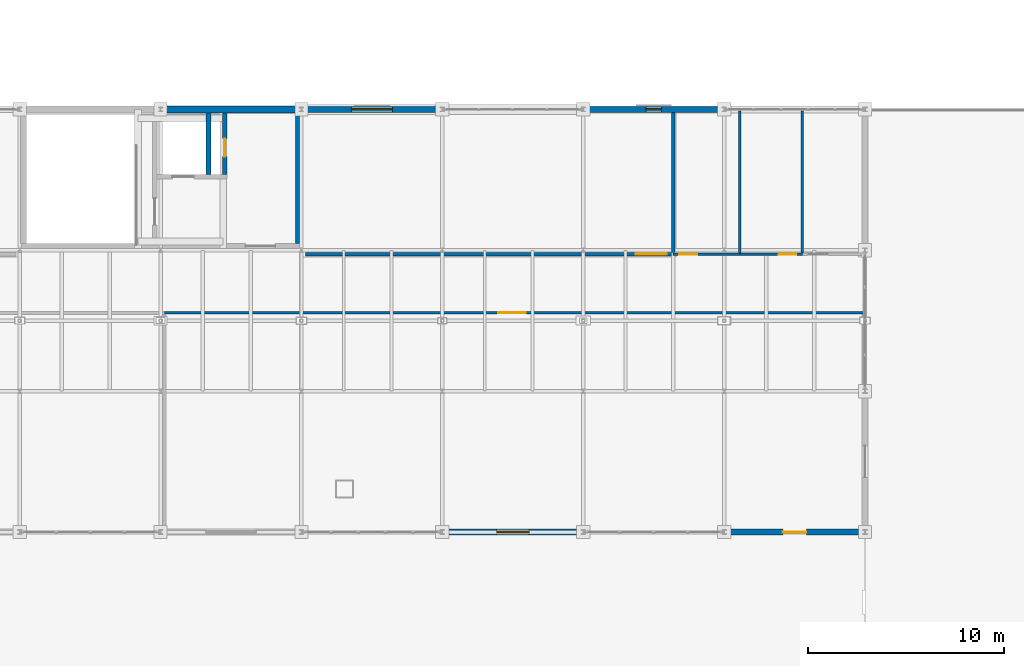
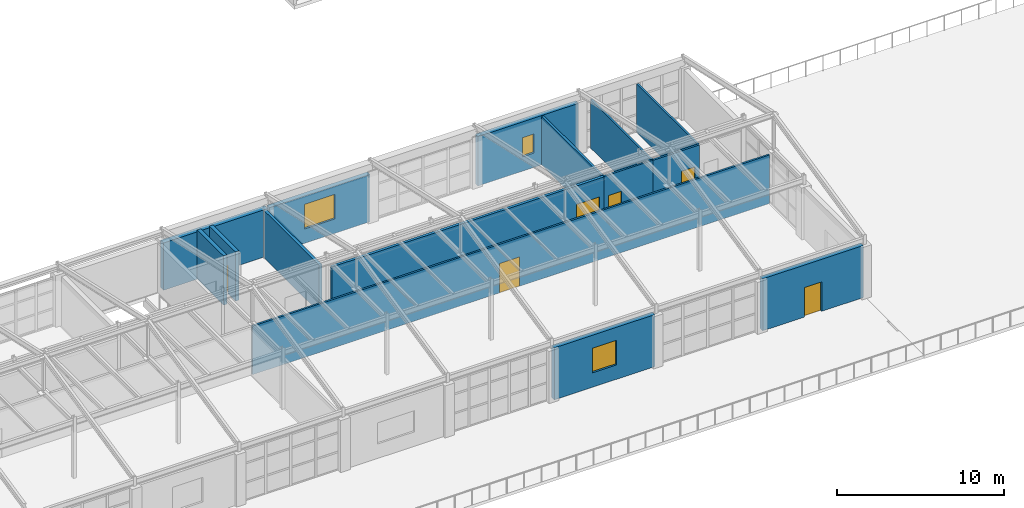
# One storey, part 93 of 101: 15 walls, 6 doors, 3 windows, 9 openings.
"""IFC4 building model written with IfcOpenShell, lengths in metres."""

from ifc_helpers import new_model, si_unit, direction, frame, frame_2d, origin, place, context, subcontext, project, spatial, rectangle, extrude, material, layer, layer_set, type_object, element, fill, save


model = new_model("IFC4")

# Units and contexts
model_context = context("Model", 3, precision=1e-05, world=origin(), true_north=direction((0.0, 1.0)))
body_context = subcontext(model_context, "Body", "Model", "MODEL_VIEW")
ifc_project = project(units=[si_unit("LENGTHUNIT", "METRE"), si_unit("AREAUNIT", "SQUARE_METRE"), si_unit("VOLUMEUNIT", "CUBIC_METRE"), si_unit("PLANEANGLEUNIT", "RADIAN"), si_unit("MASSUNIT", "GRAM", prefix="KILO")], contexts=[model_context])

# Site, building, storey
site_placement = place(None, origin())
site = spatial("IfcSite", under=ifc_project, at=site_placement, CompositionType="ELEMENT")
building_placement = place(site_placement, origin())
building = spatial("IfcBuilding", under=site, at=building_placement, Name="Kemerveld Promenade Tramway Depot", CompositionType="ELEMENT")
storey_placement = place(building_placement, frame((0.0, 0.0, 9.89990234375)))
storey = spatial("IfcBuildingStorey", under=building, at=storey_placement, Name="L02", CompositionType="ELEMENT", Elevation=9.89990234375)

# Wall
ifc_material_1 = material(Name="Concrete C40/50", Category="concrete")
ifc_layer_1 = layer(ifc_material_1, 0.25)
ifc_layer_set_1 = layer_set([ifc_layer_1], Name="WL-CORE-250")
wall_type_1 = type_object("IfcWallType", Name="WL-CORE-250", PredefinedType="SHEAR", material=ifc_layer_set_1)
wall_1_placement = place(storey_placement, frame((96.050048828125, 25.485107421875, 0.0), z_axis=(0.0, 0.0, 1.0), x_axis=(0.0, 1.0, 0.0)))
element("IfcWall", 1, at=wall_1_placement, inside=storey, type_object=wall_type_1, Name="WL-C4-L02-LSHM", PredefinedType="SHEAR", context=body_context, shape_type="SweptSolid", body=[
    extrude(rectangle(XDim=3.135009765625, YDim=0.25, at=frame_2d((1.5673828125, 0.0))), origin(), (0.0, 0.0, 1.0), 3.60009765625),
])

# Wall, opening, door
wall_2_placement = place(storey_placement, frame((96.8798828125, 25.485107421875, 0.0), z_axis=(0.0, 0.0, 1.0), x_axis=(0.0, 1.0, 0.0)))
wall_2 = element("IfcWall", 2, at=wall_2_placement, inside=storey, type_object=wall_type_1, Name="WL-C4-L02-LSHE", PredefinedType="SHEAR", context=body_context, shape_type="SweptSolid", body=[
    extrude(rectangle(XDim=3.135009765625, YDim=0.25, at=frame_2d((1.5673828125, 0.0))), origin(), (0.0, 0.0, 1.0), 3.60009765625),
])
opening_1_placement = place(wall_2_placement, frame((0.89990234375, 0.0, 0.0)))
opening_1 = element("IfcOpeningElement", 3, at=opening_1_placement, cuts=wall_2, Name="Opening D-567", PredefinedType="OPENING", context=body_context, shape_type="SweptSolid", body=[
    extrude(rectangle(XDim=0.919921875, YDim=2.050048828125, at=frame_2d((0.4599609375, 1.02490234375))), frame((0.0, 0.135009765625, 0.0), z_axis=(0.0, -1.0, 0.0), x_axis=(1.0, 0.0, 0.0)), (0.0, 0.0, 1.0), 0.27001953125),
])
ifc_material_2 = material(Name="Steel riser shaft access fire door", Category="steel")
door_type_1 = type_object("IfcDoorType", Name="DR-RSR01", OperationType="NOTDEFINED", PredefinedType="DOOR", material=ifc_material_2)
door_1_placement = place(opening_1_placement, origin())
door_1 = element("IfcDoor", 4, at=door_1_placement, inside=storey, type_object=door_type_1, Name="DR-C4-L02-RISER", OperationType="SINGLE_SWING_LEFT", OverallHeight=2.050048828125, OverallWidth=0.919921875, PredefinedType="DOOR", context=body_context, shape_type="SweptSolid", body=[
    extrude(rectangle(XDim=0.919921875, YDim=2.050048828125, at=frame_2d((0.4599609375, 1.02490234375))), frame((0.0, 0.02490234375, 0.0), z_axis=(0.0, -1.0, 0.0), x_axis=(1.0, 0.0, 0.0)), (0.0, 0.0, 1.0), 0.050048828125),
])
fill(opening_1, door_1)

ifc_material_3 = material(Name="Banded granite and red-ochre clay brick masonry", Category="masonry")
ifc_layer_2 = layer(ifc_material_3, 0.320068359375)
ifc_layer_set_2 = layer_set([ifc_layer_2], Name="WL-EXT-320")
wall_type_2 = type_object("IfcWallType", Name="WL-EXT-320", PredefinedType="SOLIDWALL", material=ifc_layer_set_2)
wall_3_placement = place(storey_placement, frame((129.47509765625, 7.199951171875, 0.0), z_axis=(0.0, 0.0, 1.0), x_axis=(-1.0, 0.0, 0.0)))
wall_3 = element("IfcWall", 5, at=wall_3_placement, inside=storey, type_object=wall_type_2, Name="WL-L02-V4S-01", PredefinedType="SOLIDWALL", context=body_context, shape_type="SweptSolid", body=[
    extrude(rectangle(XDim=6.9501953125, YDim=0.320068359375, at=frame_2d((3.47509765625, 0.0))), origin(), (0.0, 0.0, 1.0), 3.800048828125),
])
opening_2_placement = place(wall_3_placement, frame((2.875, 0.0, 0.0)))
opening_2 = element("IfcOpeningElement", 6, at=opening_2_placement, cuts=wall_3, Name="Opening D-148", PredefinedType="OPENING", context=body_context, shape_type="SweptSolid", body=[
    extrude(rectangle(XDim=1.199951171875, YDim=2.14990234375, at=frame_2d((0.60009765625, 1.074951171875))), frame((0.0, 0.169921875, 0.0), z_axis=(0.0, -1.0, 0.0), x_axis=(1.0, 0.0, 0.0)), (0.0, 0.0, 1.0), 0.340087890625),
])
ifc_material_4 = material(Name="Thermally broken aluminium glazed terrace door", Category="aluminium")
door_type_2 = type_object("IfcDoorType", Name="DR-TER2", OperationType="NOTDEFINED", PredefinedType="DOOR", material=ifc_material_4)
door_2_placement = place(opening_2_placement, origin())
door_2 = element("IfcDoor", 7, at=door_2_placement, inside=storey, type_object=door_type_2, Name="DR-EXT-148", OperationType="SINGLE_SWING_RIGHT", OverallHeight=2.14990234375, OverallWidth=1.199951171875, PredefinedType="DOOR", context=body_context, shape_type="SweptSolid", body=[
    extrude(rectangle(XDim=1.199951171875, YDim=2.14990234375, at=frame_2d((0.60009765625, 1.074951171875))), frame((0.0, 0.02490234375, 0.0), z_axis=(0.0, -1.0, 0.0), x_axis=(1.0, 0.0, 0.0)), (0.0, 0.0, 1.0), 0.050048828125),
])
fill(opening_2, door_2)

# Wall, opening, window
wall_4_placement = place(storey_placement, frame((115.0751953125, 7.199951171875, 0.0), z_axis=(0.0, 0.0, 1.0), x_axis=(-1.0, 0.0, 0.0)))
wall_4 = element("IfcWall", 8, at=wall_4_placement, inside=storey, type_object=wall_type_2, Name="WL-L02-V4S-03", PredefinedType="SOLIDWALL", context=body_context, shape_type="SweptSolid", body=[
    extrude(rectangle(XDim=6.950439453125, YDim=0.320068359375, at=frame_2d((3.47509765625, 0.0))), origin(), (0.0, 0.0, 1.0), 3.800048828125),
])
opening_3_placement = place(wall_4_placement, frame((2.64501953125, 0.0, 1.050048828125)))
opening_3 = element("IfcOpeningElement", 9, at=opening_3_placement, cuts=wall_4, Name="Opening W-201", PredefinedType="OPENING", context=body_context, shape_type="SweptSolid", body=[
    extrude(rectangle(XDim=1.659912109375, YDim=1.800048828125, at=frame_2d((0.830078125, 0.89990234375))), frame((0.0, 0.169921875, 0.0), z_axis=(0.0, -1.0, 0.0), x_axis=(1.0, 0.0, 0.0)), (0.0, 0.0, 1.0), 0.340087890625),
])
ifc_material_5 = material(Name="Bronze anodised aluminium and low-e glass", Category="aluminium")
window_type_1 = type_object("IfcWindowType", Name="WN-29", PartitioningType="SINGLE_PANEL", PredefinedType="WINDOW", material=ifc_material_5)
window_1_placement = place(opening_3_placement, origin())
window_1 = element("IfcWindow", 10, at=window_1_placement, inside=storey, type_object=window_type_1, Name="WN-L02-V4S-03", OverallHeight=1.800048828125, OverallWidth=1.659912109375, PartitioningType="SINGLE_PANEL", PredefinedType="WINDOW", context=body_context, shape_type="SweptSolid", body=[
    extrude(rectangle(XDim=1.659912109375, YDim=1.800048828125, at=frame_2d((0.830078125, 0.89990234375))), frame((0.0, 0.030029296875, 0.0), z_axis=(0.0, -1.0, 0.0), x_axis=(1.0, 0.0, 0.0)), (0.0, 0.0, 1.0), 0.06005859375),
])
fill(opening_3, window_1)

wall_5_placement = place(storey_placement, frame((100.9248046875, 28.800048828125, 0.0), z_axis=(0.0, 0.0, 1.0), x_axis=(1.0, 0.0, 0.0)))
wall_5 = element("IfcWall", 11, at=wall_5_placement, inside=storey, type_object=wall_type_2, Name="WL-L02-V4N-07", PredefinedType="SOLIDWALL", context=body_context, shape_type="SweptSolid", body=[
    extrude(rectangle(XDim=6.950439453125, YDim=0.320068359375, at=frame_2d((3.47509765625, 0.0))), origin(), (0.0, 0.0, 1.0), 3.455078125),
])
opening_4_placement = place(wall_5_placement, frame((2.425048828125, 0.0, 1.050048828125)))
opening_4 = element("IfcOpeningElement", 12, at=opening_4_placement, cuts=wall_5, Name="Opening W-206", PredefinedType="OPENING", context=body_context, shape_type="SweptSolid", body=[
    extrude(rectangle(XDim=2.10009765625, YDim=1.800048828125, at=frame_2d((1.050048828125, 0.89990234375))), frame((0.0, 0.169921875, 0.0), z_axis=(0.0, -1.0, 0.0), x_axis=(1.0, 0.0, 0.0)), (0.0, 0.0, 1.0), 0.340087890625),
])
window_type_2 = type_object("IfcWindowType", Name="WN-09", PartitioningType="SINGLE_PANEL", PredefinedType="WINDOW", material=ifc_material_5)
window_2_placement = place(opening_4_placement, origin())
window_2 = element("IfcWindow", 13, at=window_2_placement, inside=storey, type_object=window_type_2, Name="WN-L02-V4N-07", OverallHeight=1.800048828125, OverallWidth=2.10009765625, PartitioningType="SINGLE_PANEL", PredefinedType="WINDOW", context=body_context, shape_type="SweptSolid", body=[
    extrude(rectangle(XDim=2.10009765625, YDim=1.800048828125, at=frame_2d((1.050048828125, 0.89990234375))), frame((0.0, 0.030029296875, 0.0), z_axis=(0.0, -1.0, 0.0), x_axis=(1.0, 0.0, 0.0)), (0.0, 0.0, 1.0), 0.06005859375),
])
fill(opening_4, window_2)

wall_6_placement = place(storey_placement, frame((115.32470703125, 28.800048828125, 0.0), z_axis=(0.0, 0.0, 1.0), x_axis=(1.0, 0.0, 0.0)))
wall_6 = element("IfcWall", 14, at=wall_6_placement, inside=storey, type_object=wall_type_2, Name="WL-L02-V4N-09", PredefinedType="SOLIDWALL", context=body_context, shape_type="SweptSolid", body=[
    extrude(rectangle(XDim=6.950439453125, YDim=0.320068359375, at=frame_2d((3.47509765625, 0.0))), origin(), (0.0, 0.0, 1.0), 3.60498046875),
])
opening_5_placement = place(wall_6_placement, frame((3.074951171875, 0.0, 1.050048828125)))
opening_5 = element("IfcOpeningElement", 15, at=opening_5_placement, cuts=wall_6, Name="Opening W-207", PredefinedType="OPENING", context=body_context, shape_type="SweptSolid", body=[
    extrude(rectangle(XDim=0.800048828125, YDim=1.39990234375, at=frame_2d((0.39990234375, 0.699951171875))), frame((0.0, 0.169921875, 0.0), z_axis=(0.0, -1.0, 0.0), x_axis=(1.0, 0.0, 0.0)), (0.0, 0.0, 1.0), 0.340087890625),
])
window_type_3 = type_object("IfcWindowType", Name="WN-19", PartitioningType="SINGLE_PANEL", PredefinedType="WINDOW", material=ifc_material_5)
window_3_placement = place(opening_5_placement, origin())
window_3 = element("IfcWindow", 16, at=window_3_placement, inside=storey, type_object=window_type_3, Name="WN-L02-V4N-09", OverallHeight=1.39990234375, OverallWidth=0.800048828125, PartitioningType="SINGLE_PANEL", PredefinedType="WINDOW", context=body_context, shape_type="SweptSolid", body=[
    extrude(rectangle(XDim=0.800048828125, YDim=1.39990234375, at=frame_2d((0.39990234375, 0.699951171875))), frame((0.0, 0.030029296875, 0.0), z_axis=(0.0, -1.0, 0.0), x_axis=(1.0, 0.0, 0.0)), (0.0, 0.0, 1.0), 0.06005859375),
])
fill(opening_5, window_3)

# Walls
ifc_layer_3 = layer(ifc_material_1, 0.360107421875)
ifc_layer_set_3 = layer_set([ifc_layer_3], Name="WL-EXT-CORE")
wall_type_3 = type_object("IfcWallType", Name="WL-EXT-CORE", PredefinedType="SHEAR", material=ifc_layer_set_3)
wall_7_placement = place(storey_placement, frame((93.60009765625, 28.800048828125, 0.0), z_axis=(0.0, 0.0, 1.0), x_axis=(1.0, 0.0, 0.0)))
element("IfcWall", 17, at=wall_7_placement, inside=storey, type_object=wall_type_3, Name="WL-L02-V4N-06", PredefinedType="SHEAR", context=body_context, shape_type="SweptSolid", body=[
    extrude(rectangle(XDim=7.199951171875, YDim=0.360107421875, at=frame_2d((3.60009765625, 0.0))), origin(), (0.0, 0.0, 1.0), 3.455078125),
])
ifc_material_6 = material(Name="Concrete blockwork C35/45", Category="masonry")
ifc_layer_4 = layer(ifc_material_6, 0.199951171875)
ifc_layer_set_4 = layer_set([ifc_layer_4], Name="WL-LOB-200")
wall_type_4 = type_object("IfcWallType", Name="WL-LOB-200", PredefinedType="SOLIDWALL", material=ifc_layer_set_4)
wall_8_placement = place(storey_placement, frame((100.60009765625, 21.949951171875, 0.0), z_axis=(0.0, 0.0, 1.0), x_axis=(0.0, 1.0, 0.0)))
element("IfcWall", 18, at=wall_8_placement, inside=storey, type_object=wall_type_4, Name="WL-C4-L02-E", PredefinedType="SOLIDWALL", context=body_context, shape_type="SweptSolid", body=[
    extrude(rectangle(XDim=6.670166015625, YDim=0.199951171875, at=frame_2d((3.3349609375, 0.0))), origin(), (0.0, 0.0, 1.0), 3.4501953125),
])

# Wall, opening, door
ifc_material_7 = material(Name="Moisture-resistant masonry partition", Category="masonry")
ifc_layer_5 = layer(ifc_material_7, 0.1298828125)
ifc_layer_set_5 = layer_set([ifc_layer_5], Name="WL-PRT-130")
wall_type_5 = type_object("IfcWallType", Name="WL-PRT-130", PredefinedType="PARTITIONING", material=ifc_layer_set_5)
wall_9_placement = place(storey_placement, frame((93.800048828125, 18.39990234375, 0.0), z_axis=(0.0, 0.0, 1.0), x_axis=(1.0, 0.0, 0.0)))
wall_9 = element("IfcWall", 19, at=wall_9_placement, inside=storey, type_object=wall_type_5, Name="WL-PRT-RM-L02-V4-LIB", PredefinedType="PARTITIONING", context=body_context, shape_type="SweptSolid", body=[
    extrude(rectangle(XDim=35.719970703125, YDim=0.1298828125, at=frame_2d((17.85986328125, 0.0))), origin(), (0.0, 0.0, 1.0), 3.550048828125),
])
opening_6_placement = place(wall_9_placement, frame((17.050048828125, 0.0, 0.0)))
opening_6 = element("IfcOpeningElement", 20, at=opening_6_placement, cuts=wall_9, Name="Opening D-655", PredefinedType="OPENING", context=body_context, shape_type="SweptSolid", body=[
    extrude(rectangle(XDim=1.39990234375, YDim=2.14990234375, at=frame_2d((0.699951171875, 1.074951171875))), frame((0.0, 0.074951171875, 0.0), z_axis=(0.0, -1.0, 0.0), x_axis=(1.0, 0.0, 0.0)), (0.0, 0.0, 1.0), 0.14990234375),
])
ifc_material_8 = material(Name="Timber-faced fire corridor door", Category="wood")
door_type_3 = type_object("IfcDoorType", Name="DR-FD60B", OperationType="NOTDEFINED", PredefinedType="DOOR", material=ifc_material_8)
door_3_placement = place(opening_6_placement, origin())
door_3 = element("IfcDoor", 21, at=door_3_placement, inside=storey, type_object=door_type_3, Name="DR-RM-RM-L02-V4-LIB", OperationType="SINGLE_SWING_RIGHT", OverallHeight=2.14990234375, OverallWidth=1.39990234375, PredefinedType="DOOR", context=body_context, shape_type="SweptSolid", body=[
    extrude(rectangle(XDim=1.39990234375, YDim=2.14990234375, at=frame_2d((0.699951171875, 1.074951171875))), frame((0.0, 0.02490234375, 0.0), z_axis=(0.0, -1.0, 0.0), x_axis=(1.0, 0.0, 0.0)), (0.0, 0.0, 1.0), 0.050048828125),
])
fill(opening_6, door_3)

wall_10_placement = place(storey_placement, frame((119.800048828125, 21.39990234375, 0.0), z_axis=(0.0, 0.0, 1.0), x_axis=(1.0, 0.0, 0.0)))
wall_10 = element("IfcWall", 22, at=wall_10_placement, inside=storey, type_object=wall_type_5, Name="WL-PRT-RM-L02-V4-WCM", PredefinedType="PARTITIONING", context=body_context, shape_type="SweptSolid", body=[
    extrude(rectangle(XDim=3.39990234375, YDim=0.1298828125, at=frame_2d((1.699951171875, 0.0))), origin(), (0.0, 0.0, 1.0), 3.550048828125),
])
opening_7_placement = place(wall_10_placement, frame((0.320068359375, 0.0, 0.0)))
opening_7 = element("IfcOpeningElement", 23, at=opening_7_placement, cuts=wall_10, Name="Opening D-658", PredefinedType="OPENING", context=body_context, shape_type="SweptSolid", body=[
    extrude(rectangle(XDim=0.89990234375, YDim=2.050048828125, at=frame_2d((0.449951171875, 1.02490234375))), frame((0.0, 0.074951171875, 0.0), z_axis=(0.0, -1.0, 0.0), x_axis=(1.0, 0.0, 0.0)), (0.0, 0.0, 1.0), 0.14990234375),
])
ifc_material_9 = material(Name="Moisture-resistant laminate WC door")
door_type_4 = type_object("IfcDoorType", Name="DR-WC01", OperationType="NOTDEFINED", PredefinedType="DOOR", material=ifc_material_9)
door_4_placement = place(opening_7_placement, origin())
door_4 = element("IfcDoor", 24, at=door_4_placement, inside=storey, type_object=door_type_4, Name="DR-RM-RM-L02-V4-WCM", OperationType="SINGLE_SWING_RIGHT", OverallHeight=2.050048828125, OverallWidth=0.89990234375, PredefinedType="DOOR", context=body_context, shape_type="SweptSolid", body=[
    extrude(rectangle(XDim=0.89990234375, YDim=2.050048828125, at=frame_2d((0.449951171875, 1.02490234375))), frame((0.0, 0.02490234375, 0.0), z_axis=(0.0, -1.0, 0.0), x_axis=(1.0, 0.0, 0.0)), (0.0, 0.0, 1.0), 0.050048828125),
])
fill(opening_7, door_4)

wall_11_placement = place(storey_placement, frame((123.199951171875, 21.39990234375, 0.0), z_axis=(0.0, 0.0, 1.0), x_axis=(1.0, 0.0, 0.0)))
wall_11 = element("IfcWall", 25, at=wall_11_placement, inside=storey, type_object=wall_type_5, Name="WL-PRT-RM-L02-V4-WCF", PredefinedType="PARTITIONING", context=body_context, shape_type="SweptSolid", body=[
    extrude(rectangle(XDim=3.199951171875, YDim=0.1298828125, at=frame_2d((1.60009765625, 0.0))), origin(), (0.0, 0.0, 1.0), 3.550048828125),
])
opening_8_placement = place(wall_11_placement, frame((1.97998046875, 0.0, 0.0)))
opening_8 = element("IfcOpeningElement", 26, at=opening_8_placement, cuts=wall_11, Name="Opening D-659", PredefinedType="OPENING", context=body_context, shape_type="SweptSolid", body=[
    extrude(rectangle(XDim=0.89990234375, YDim=2.050048828125, at=frame_2d((0.449951171875, 1.02490234375))), frame((0.0, 0.074951171875, 0.0), z_axis=(0.0, -1.0, 0.0), x_axis=(1.0, 0.0, 0.0)), (0.0, 0.0, 1.0), 0.14990234375),
])
door_5_placement = place(opening_8_placement, origin())
door_5 = element("IfcDoor", 27, at=door_5_placement, inside=storey, type_object=door_type_4, Name="DR-RM-RM-L02-V4-WCF", OperationType="SINGLE_SWING_LEFT", OverallHeight=2.050048828125, OverallWidth=0.89990234375, PredefinedType="DOOR", context=body_context, shape_type="SweptSolid", body=[
    extrude(rectangle(XDim=0.89990234375, YDim=2.050048828125, at=frame_2d((0.449951171875, 1.02490234375))), frame((0.0, 0.02490234375, 0.0), z_axis=(0.0, -1.0, 0.0), x_axis=(1.0, 0.0, 0.0)), (0.0, 0.0, 1.0), 0.050048828125),
])
fill(opening_8, door_5)

# Walls
for number, where, z_axis, x_axis, name in (
    (28, (123.199951171875, 21.465087890625, 0.0), (0.0, 0.0, 1.0), (0.0, 1.0, 0.0), "WL-DIV-L02-003"),
    (29, (126.39990234375, 21.465087890625, 0.0), (0.0, 0.0, 1.0), (0.0, 1.0, 0.0), "WL-DIV-L02-004"),
):
    element("IfcWall", number, at=place(storey_placement, frame(where, z_axis=z_axis, x_axis=x_axis)), inside=storey, type_object=wall_type_5, Name=name, PredefinedType="PARTITIONING", context=body_context, shape_type="SweptSolid", body=[
        extrude(rectangle(XDim=7.2548828125, YDim=0.1298828125, at=frame_2d((3.62744140625, 0.0))), origin(), (0.0, 0.0, 1.0), 3.550048828125),
    ])
ifc_material_10 = material(Name="Acoustic twin-stud gypsum partition")
ifc_layer_6 = layer(ifc_material_10, 0.159912109375)
ifc_layer_set_6 = layer_set([ifc_layer_6], Name="WL-PRT-160")
wall_type_6 = type_object("IfcWallType", Name="WL-PRT-160", PredefinedType="PARTITIONING", material=ifc_layer_set_6)
wall_12_placement = place(storey_placement, frame((119.800048828125, 21.4951171875, 0.0), z_axis=(0.0, 0.0, 1.0), x_axis=(0.0, 1.0, 0.0)))
element("IfcWall", 30, at=wall_12_placement, inside=storey, type_object=wall_type_6, Name="WL-DIV-L02-002", PredefinedType="PARTITIONING", context=body_context, shape_type="SweptSolid", body=[
    extrude(rectangle(XDim=7.144775390625, YDim=0.159912109375, at=frame_2d((3.572265625, 0.0))), origin(), (0.0, 0.0, 1.0), 3.550048828125),
])

# Wall, opening, door
ifc_material_11 = material(Name="Plant and substation fire partition")
ifc_layer_7 = layer(ifc_material_11, 0.18994140625)
ifc_layer_set_7 = layer_set([ifc_layer_7], Name="WL-PRT-190")
wall_type_7 = type_object("IfcWallType", Name="WL-PRT-190", PredefinedType="PARTITIONING", material=ifc_layer_set_7)
wall_13_placement = place(storey_placement, frame((101.0, 21.39990234375, 0.0), z_axis=(0.0, 0.0, 1.0), x_axis=(1.0, 0.0, 0.0)))
wall_13 = element("IfcWall", 31, at=wall_13_placement, inside=storey, type_object=wall_type_7, Name="WL-PRT-RM-L02-V4-TLNG", PredefinedType="PARTITIONING", context=body_context, shape_type="SweptSolid", body=[
    extrude(rectangle(XDim=18.800048828125, YDim=0.18994140625, at=frame_2d((9.39990234375, 0.0))), origin(), (0.0, 0.0, 1.0), 3.550048828125),
])
opening_9_placement = place(wall_13_placement, frame((16.8798828125, 0.0, 0.0)))
opening_9 = element("IfcOpeningElement", 32, at=opening_9_placement, cuts=wall_13, Name="Opening D-657", PredefinedType="OPENING", context=body_context, shape_type="SweptSolid", body=[
    extrude(rectangle(XDim=1.60009765625, YDim=2.199951171875, at=frame_2d((0.800048828125, 1.10009765625))), frame((0.0, 0.10498046875, 0.0), z_axis=(0.0, -1.0, 0.0), x_axis=(1.0, 0.0, 0.0)), (0.0, 0.0, 1.0), 0.2099609375),
])
ifc_material_12 = material(Name="Double glazed gallery and canteen door")
door_type_5 = type_object("IfcDoorType", Name="DR-INT05", OperationType="DOUBLE_SWING_LEFT", PredefinedType="DOOR", material=ifc_material_12)
door_6_placement = place(opening_9_placement, origin())
door_6 = element("IfcDoor", 33, at=door_6_placement, inside=storey, type_object=door_type_5, Name="DR-RM-RM-L02-V4-TLNG", OperationType="DOUBLE_SWING_LEFT", OverallHeight=2.199951171875, OverallWidth=1.60009765625, PredefinedType="DOOR", context=body_context, shape_type="SweptSolid", body=[
    extrude(rectangle(XDim=1.60009765625, YDim=2.199951171875, at=frame_2d((0.800048828125, 1.10009765625))), frame((0.0, 0.02490234375, 0.0), z_axis=(0.0, -1.0, 0.0), x_axis=(1.0, 0.0, 0.0)), (0.0, 0.0, 1.0), 0.050048828125),
])
fill(opening_9, door_6)

save(model, "model.ifc")
